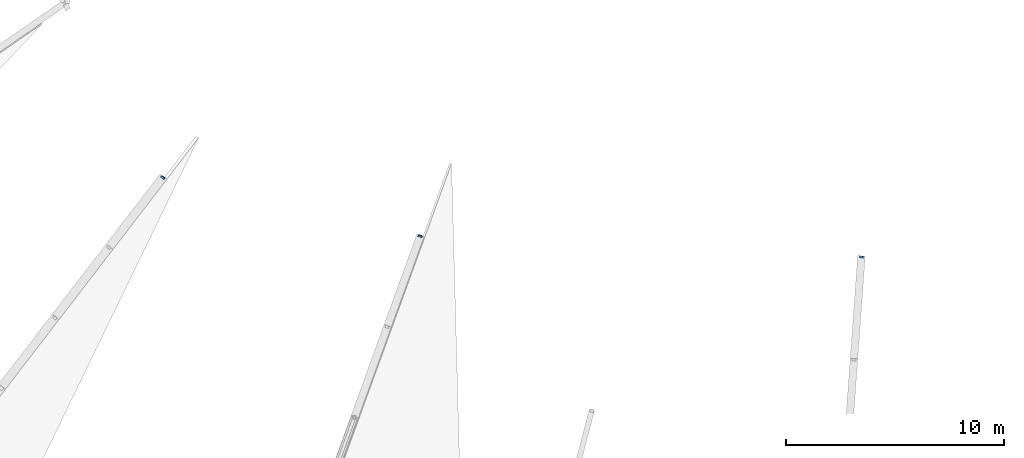
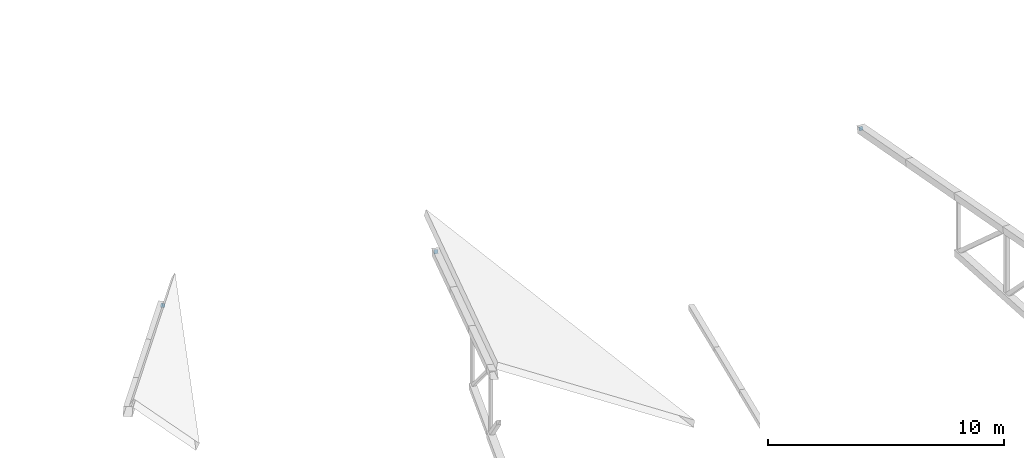
# One storey, part 133 of 188: 3 discrete accessories.
"""IFC4 building model written with IfcOpenShell, lengths in metres."""

from ifc_helpers import new_model, si_unit, direction, frame, origin, origin_2d, place, context, subcontext, project, spatial, rectangle, extrude, material, material_profile, profile_set, type_object, element, save


model = new_model("IFC4")

# Units and contexts
model_context = context("Model", 3, precision=1e-05, world=origin(), true_north=direction((0.0, 1.0)))
body_context = subcontext(model_context, "Body", "Model", "MODEL_VIEW")
ifc_project = project(units=[si_unit("LENGTHUNIT", "METRE"), si_unit("AREAUNIT", "SQUARE_METRE"), si_unit("VOLUMEUNIT", "CUBIC_METRE"), si_unit("PLANEANGLEUNIT", "RADIAN"), si_unit("MASSUNIT", "GRAM", prefix="KILO")], contexts=[model_context])

# Site, building, storey
site_placement = place(None, origin())
site = spatial("IfcSite", under=ifc_project, at=site_placement, CompositionType="ELEMENT")
building_placement = place(site_placement, origin())
building = spatial("IfcBuilding", under=site, at=building_placement, Name="Meseta Stadium", CompositionType="ELEMENT")
storey_placement = place(building_placement, frame((0.0, 0.0, 30.0)))
storey = spatial("IfcBuildingStorey", under=building, at=storey_placement, Name="ROOF", CompositionType="ELEMENT", Elevation=30.0)

# Discrete accessories
ifc_material = material(Name="Steel S355", Category="steel")
ifc_material_profile = material_profile(ifc_material, rectangle(XDim=0.179931640625, YDim=0.179931640625, at=origin_2d()), Name="PL 180x180")
ifc_profile_set = profile_set([ifc_material_profile], Name="Steel S355")
discrete_accessory_type = type_object("IfcDiscreteAccessoryType", Name="End plate 180x180x20", PredefinedType="ANCHORPLATE", material=ifc_profile_set)
for number, where, z_axis, x_axis, name in (
    (1, (-37.197509765625, -67.04638671875, 1.214599609375), (-0.534167856064, -0.691990177174, 0.485607141877), (0.791590320973, -0.611052177593, 0.0), "End plate of ROOF TRUSS RT-42 diagonal"),
    (2, (-25.390380859375, -69.7392578125, 1.493896484375), (-0.303840508578, -0.826446183332, 0.473991193382), (0.938578553396, -0.345065644631, 0.0), "End plate of ROOF TRUSS RT-44 diagonal"),
    (3, (-5.14990234375, -70.6943359375, 1.3544921875), (-0.061240305661, -0.869612340392, 0.489922445291), (0.997529518435, -0.070248557636, 0.0), "End plate of ROOF TRUSS RT-46 diagonal"),
):
    element("IfcDiscreteAccessory", number, at=place(storey_placement, frame(where, z_axis=z_axis, x_axis=x_axis)), inside=storey, type_object=discrete_accessory_type, Name=name, PredefinedType="ANCHORPLATE", context=body_context, shape_type="SweptSolid", body=[
        extrude(rectangle(XDim=0.179931640625, YDim=0.179931640625, at=origin_2d()), origin(), (0.0, 0.0, 1.0), 0.02001953125),
    ])

save(model, "model.ifc")
